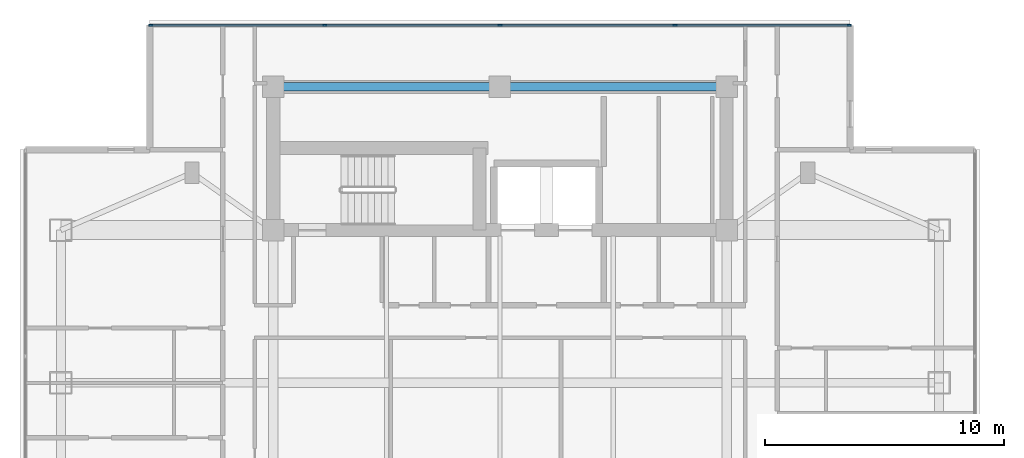
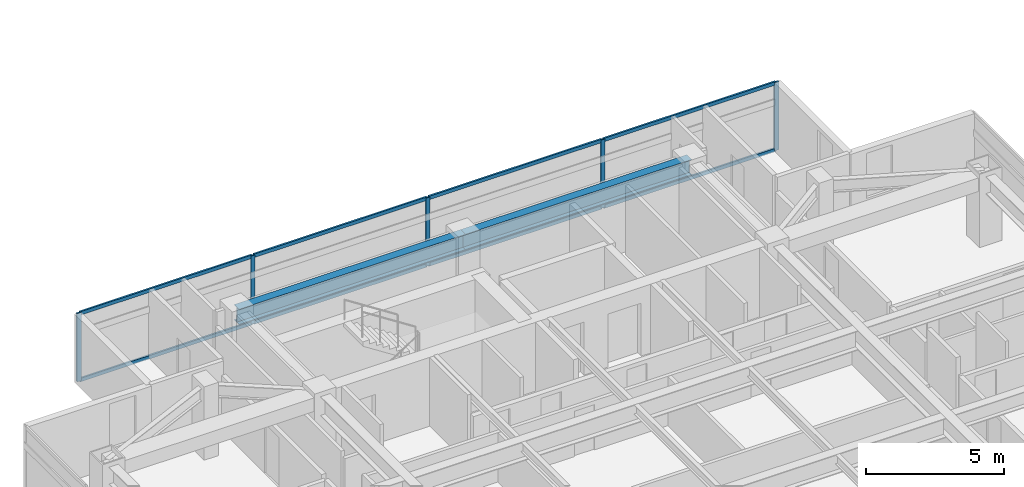
# One storey, part 8 of 24: 13 members, 2 beams, 1 element without a shape of its own.
"""IFC4 building model written with IfcOpenShell, lengths in metres."""

from ifc_helpers import new_model, si_unit, direction, frame, origin, origin_2d, place, context, subcontext, project, spatial, rectangle, i_section, extrude, material, material_profile, profile_set, type_object, element, aggregate, save


model = new_model("IFC4")

# Units and contexts
model_context = context("Model", 3, precision=1e-05, world=origin(), true_north=direction((0.0, 1.0)))
body_context = subcontext(model_context, "Body", "Model", "MODEL_VIEW")
ifc_project = project(units=[si_unit("LENGTHUNIT", "METRE"), si_unit("AREAUNIT", "SQUARE_METRE"), si_unit("VOLUMEUNIT", "CUBIC_METRE"), si_unit("PLANEANGLEUNIT", "RADIAN"), si_unit("MASSUNIT", "GRAM", prefix="KILO")], contexts=[model_context])

# Site, building, storey
site_placement = place(None, origin())
site = spatial("IfcSite", under=ifc_project, at=site_placement, CompositionType="ELEMENT")
building_placement = place(site_placement, origin())
building = spatial("IfcBuilding", under=site, at=building_placement, Name="Mirazonda Arch Towers", CompositionType="ELEMENT")
storey_placement = place(building_placement, frame((0.0, 0.0, 190.14990234375)))
storey = spatial("IfcBuildingStorey", under=building, at=storey_placement, Name="L54", CompositionType="ELEMENT", Elevation=190.14990234375)

# Beams
ifc_material_1 = material(Name="Steel ASTM A992 Grade 50", Category="steel")
ifc_material_profile_1 = material_profile(ifc_material_1, i_section(OverallWidth=0.35498046875, OverallDepth=0.696044921875, WebThickness=0.015380859375, FlangeThickness=0.02490234375, at=origin_2d()), Name="W27X146")
ifc_profile_set_1 = profile_set([ifc_material_profile_1], Name="Steel ASTM A992 Grade 50")
beam_type = type_object("IfcBeamType", Name="BM-INT-W27X146", PredefinedType="BEAM", material=ifc_profile_set_1)
for number, where, z_axis, x_axis, name in (
    (1, (11.0, 43.60009765625, 2.7021484375), (1.0, 0.0, 0.0), (0.0, 1.0, 0.0), "L54 Floor Beam BM-T1-L54-CN1"),
    (2, (20.5, 43.60009765625, 2.7021484375), (1.0, 0.0, 0.0), (0.0, 1.0, 0.0), "L54 Floor Beam BM-T1-L54-CN2"),
):
    element("IfcBeam", number, at=place(storey_placement, frame(where, z_axis=z_axis, x_axis=x_axis)), inside=storey, type_object=beam_type, Name=name, PredefinedType="BEAM", context=body_context, shape_type="SweptSolid", body=[
        extrude(i_section(OverallWidth=0.35498046875, OverallDepth=0.696044921875, WebThickness=0.015380859375, FlangeThickness=0.02490234375, at=origin_2d()), origin(), (0.0, 0.0, 1.0), 9.5),
    ])

# Curtain wall, members
ifc_material_2 = material(Name="Anodised Aluminium and Low-E Glass", Category="aluminium")
curtain_wall_type = type_object("IfcCurtainWallType", Name="CW-RES-UNIT", PredefinedType="NOTDEFINED", material=ifc_material_2)
curtain_wall_placement = place(storey_placement, origin())
curtain_wall = element("IfcCurtainWall", 3, at=curtain_wall_placement, inside=storey, type_object=curtain_wall_type, Name="L54 T1 N Facade CW-L54-T1-N", PredefinedType="NOTDEFINED")
ifc_material_3 = material(Name="Anodised Aluminium Alloy", Category="aluminium")
ifc_material_profile_2 = material_profile(ifc_material_3, rectangle(XDim=0.074951171875, YDim=0.175048828125, at=origin_2d()), Name="ALU-MULL-75x175")
ifc_profile_set_2 = profile_set([ifc_material_profile_2], Name="Anodised Aluminium Alloy")
member_type_1 = type_object("IfcMemberType", Name="MULL-CW-RES-UNIT", PredefinedType="MULLION", material=ifc_profile_set_2)
member_1_placement = place(storey_placement, frame((5.862548828125, 46.18603515625, 0.0), z_axis=(0.0, 0.0, 1.0), x_axis=(0.0, 1.0, 0.0)))
member_1 = element("IfcMember", 4, at=member_1_placement, type_object=member_type_1, Name="CW-104 mullion 1", PredefinedType="MULLION", context=body_context, shape_type="SweptSolid", body=[
    extrude(rectangle(XDim=0.074951171875, YDim=0.175048828125, at=origin_2d()), origin(), (0.0, 0.0, 1.0), 3.030029296875),
])
member_2_placement = place(storey_placement, frame((13.16259765625, 46.18603515625, 0.0), z_axis=(0.0, 0.0, 1.0), x_axis=(0.0, 1.0, 0.0)))
member_2 = element("IfcMember", 5, at=member_2_placement, type_object=member_type_1, Name="CW-104 mullion 2", PredefinedType="MULLION", context=body_context, shape_type="SweptSolid", body=[
    extrude(rectangle(XDim=0.074951171875, YDim=0.175048828125, at=origin_2d()), origin(), (0.0, 0.0, 1.0), 3.030029296875),
])
member_3_placement = place(storey_placement, frame((20.5, 46.18603515625, 0.0), z_axis=(0.0, 0.0, 1.0), x_axis=(0.0, 1.0, 0.0)))
member_3 = element("IfcMember", 6, at=member_3_placement, type_object=member_type_1, Name="CW-104 mullion 3", PredefinedType="MULLION", context=body_context, shape_type="SweptSolid", body=[
    extrude(rectangle(XDim=0.074951171875, YDim=0.175048828125, at=origin_2d()), origin(), (0.0, 0.0, 1.0), 3.030029296875),
])
member_4_placement = place(storey_placement, frame((27.83740234375, 46.18603515625, 0.0), z_axis=(0.0, 0.0, 1.0), x_axis=(0.0, 1.0, 0.0)))
member_4 = element("IfcMember", 7, at=member_4_placement, type_object=member_type_1, Name="CW-104 mullion 4", PredefinedType="MULLION", context=body_context, shape_type="SweptSolid", body=[
    extrude(rectangle(XDim=0.074951171875, YDim=0.175048828125, at=origin_2d()), origin(), (0.0, 0.0, 1.0), 3.030029296875),
])
member_5_placement = place(storey_placement, frame((35.137451171875, 46.18603515625, 0.0), z_axis=(0.0, 0.0, 1.0), x_axis=(0.0, 1.0, 0.0)))
member_5 = element("IfcMember", 8, at=member_5_placement, type_object=member_type_1, Name="CW-104 mullion 5", PredefinedType="MULLION", context=body_context, shape_type="SweptSolid", body=[
    extrude(rectangle(XDim=0.074951171875, YDim=0.175048828125, at=origin_2d()), origin(), (0.0, 0.0, 1.0), 3.030029296875),
])
ifc_material_profile_3 = material_profile(ifc_material_3, rectangle(XDim=0.074951171875, YDim=0.155029296875, at=origin_2d()), Name="ALU-TRAN-75x155")
ifc_profile_set_3 = profile_set([ifc_material_profile_3], Name="Anodised Aluminium Alloy")
member_type_2 = type_object("IfcMemberType", Name="TRAN-CW-RES-UNIT", PredefinedType="USERDEFINED", material=ifc_profile_set_3)
member_6_placement = place(storey_placement, frame((5.89990234375, 46.18603515625, 0.03759765625), z_axis=(1.0, 0.0, 0.0), x_axis=(0.0, 1.0, 0.0)))
member_6 = element("IfcMember", 9, at=member_6_placement, type_object=member_type_2, Name="CW-104 transom 1.1", ObjectType="TRANSOM", PredefinedType="USERDEFINED", context=body_context, shape_type="SweptSolid", body=[
    extrude(rectangle(XDim=0.074951171875, YDim=0.155029296875, at=origin_2d()), origin(), (0.0, 0.0, 1.0), 7.22509765625),
])
member_7_placement = place(storey_placement, frame((5.89990234375, 46.18603515625, 2.99267578125), z_axis=(1.0, 0.0, 0.0), x_axis=(0.0, 1.0, 0.0)))
member_7 = element("IfcMember", 10, at=member_7_placement, type_object=member_type_2, Name="CW-104 transom 1.2", ObjectType="TRANSOM", PredefinedType="USERDEFINED", context=body_context, shape_type="SweptSolid", body=[
    extrude(rectangle(XDim=0.074951171875, YDim=0.155029296875, at=origin_2d()), origin(), (0.0, 0.0, 1.0), 7.22509765625),
])
member_8_placement = place(storey_placement, frame((13.199951171875, 46.18603515625, 0.03759765625), z_axis=(1.0, 0.0, 0.0), x_axis=(0.0, 1.0, 0.0)))
member_8 = element("IfcMember", 11, at=member_8_placement, type_object=member_type_2, Name="CW-104 transom 2.1", ObjectType="TRANSOM", PredefinedType="USERDEFINED", context=body_context, shape_type="SweptSolid", body=[
    extrude(rectangle(XDim=0.074951171875, YDim=0.155029296875, at=origin_2d()), origin(), (0.0, 0.0, 1.0), 7.262451171875),
])
member_9_placement = place(storey_placement, frame((13.199951171875, 46.18603515625, 2.99267578125), z_axis=(1.0, 0.0, 0.0), x_axis=(0.0, 1.0, 0.0)))
member_9 = element("IfcMember", 12, at=member_9_placement, type_object=member_type_2, Name="CW-104 transom 2.2", ObjectType="TRANSOM", PredefinedType="USERDEFINED", context=body_context, shape_type="SweptSolid", body=[
    extrude(rectangle(XDim=0.074951171875, YDim=0.155029296875, at=origin_2d()), origin(), (0.0, 0.0, 1.0), 7.262451171875),
])
member_10_placement = place(storey_placement, frame((20.53759765625, 46.18603515625, 0.03759765625), z_axis=(1.0, 0.0, 0.0), x_axis=(0.0, 1.0, 0.0)))
member_10 = element("IfcMember", 13, at=member_10_placement, type_object=member_type_2, Name="CW-104 transom 3.1", ObjectType="TRANSOM", PredefinedType="USERDEFINED", context=body_context, shape_type="SweptSolid", body=[
    extrude(rectangle(XDim=0.074951171875, YDim=0.155029296875, at=origin_2d()), origin(), (0.0, 0.0, 1.0), 7.262451171875),
])
member_11_placement = place(storey_placement, frame((20.53759765625, 46.18603515625, 2.99267578125), z_axis=(1.0, 0.0, 0.0), x_axis=(0.0, 1.0, 0.0)))
member_11 = element("IfcMember", 14, at=member_11_placement, type_object=member_type_2, Name="CW-104 transom 3.2", ObjectType="TRANSOM", PredefinedType="USERDEFINED", context=body_context, shape_type="SweptSolid", body=[
    extrude(rectangle(XDim=0.074951171875, YDim=0.155029296875, at=origin_2d()), origin(), (0.0, 0.0, 1.0), 7.262451171875),
])
member_12_placement = place(storey_placement, frame((27.875, 46.18603515625, 0.03759765625), z_axis=(1.0, 0.0, 0.0), x_axis=(0.0, 1.0, 0.0)))
member_12 = element("IfcMember", 15, at=member_12_placement, type_object=member_type_2, Name="CW-104 transom 4.1", ObjectType="TRANSOM", PredefinedType="USERDEFINED", context=body_context, shape_type="SweptSolid", body=[
    extrude(rectangle(XDim=0.074951171875, YDim=0.155029296875, at=origin_2d()), origin(), (0.0, 0.0, 1.0), 7.22509765625),
])
member_13_placement = place(storey_placement, frame((27.875, 46.18603515625, 2.99267578125), z_axis=(1.0, 0.0, 0.0), x_axis=(0.0, 1.0, 0.0)))
member_13 = element("IfcMember", 16, at=member_13_placement, type_object=member_type_2, Name="CW-104 transom 4.2", ObjectType="TRANSOM", PredefinedType="USERDEFINED", context=body_context, shape_type="SweptSolid", body=[
    extrude(rectangle(XDim=0.074951171875, YDim=0.155029296875, at=origin_2d()), origin(), (0.0, 0.0, 1.0), 7.22509765625),
])
aggregate(curtain_wall, [member_1, member_2, member_3, member_4, member_5, member_6, member_7, member_8, member_9, member_10, member_11, member_12, member_13])

save(model, "model.ifc")
